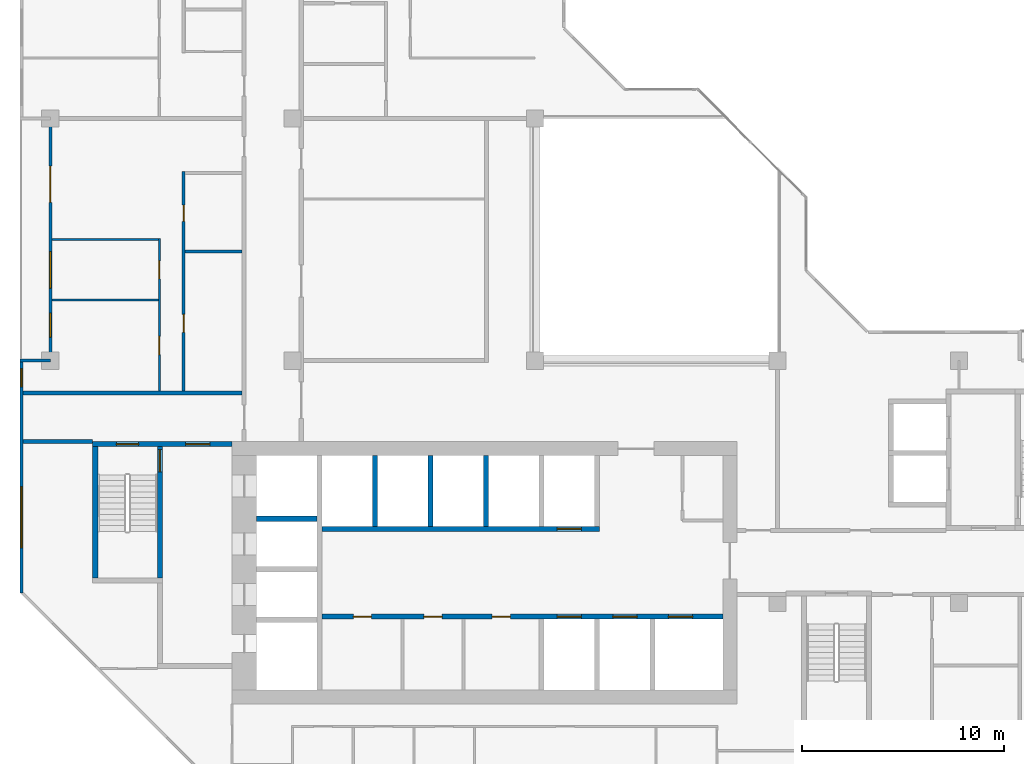
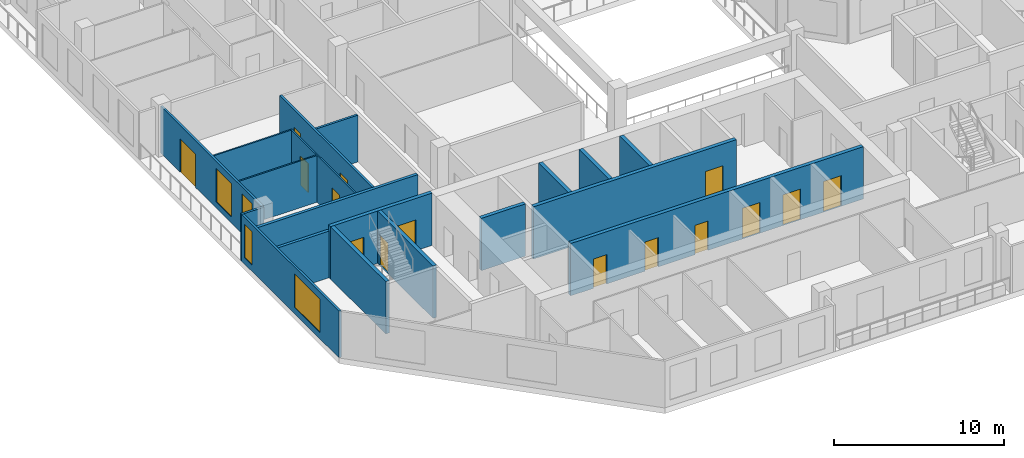
# One storey, part 5 of 16: 19 walls, 15 doors, 4 windows, 19 openings.
"""IFC4 building model written with IfcOpenShell, lengths in metres."""

import ifcopenshell
import ifcopenshell.guid

model = None  # the IFC model being written
_history = None  # IfcOwnerHistory: only IFC2X3 demands one
_inside = {}  # id of a spatial element -> (the spatial element, [elements in it])
_under = {}  # id of a project, library or spatial element -> (it, [spatial elements below it])
_declared = {}  # id of a project -> (the project, [libraries it declares])
_typed = {}  # id of a type object -> (the type object, [elements of that type])
_made_of = {}  # id of a material, layer set ... -> (it, [elements and type objects made of it])


def new_model(schema):
    """Start an empty IFC model of exactly this schema.

    Asked for "IFC4X3", IfcOpenShell would pick the latest addendum, in which some entities
    have other attributes; the version numbers below select the first issue.
    IFC2X3 requires an IfcOwnerHistory on every rooted entity: one is made here for all.
    """
    global model, _history
    if schema == "IFC4X3":
        model = ifcopenshell.file(schema_version=(4, 3, 0, 0))
    else:
        model = ifcopenshell.file(schema=schema)
    _inside.clear()
    _under.clear()
    _declared.clear()
    _typed.clear()
    _made_of.clear()
    _history = None
    if model.schema == "IFC2X3":
        org = make("IfcOrganization", Name="unknown")
        user = make(
            "IfcPersonAndOrganization",
            ThePerson=make("IfcPerson", FamilyName="unknown"),
            TheOrganization=org,
        )
        app = make(
            "IfcApplication",
            ApplicationDeveloper=org,
            Version="unknown",
            ApplicationFullName="unknown",
            ApplicationIdentifier="unknown",
        )
        _history = make(
            "IfcOwnerHistory",
            OwningUser=user,
            OwningApplication=app,
            ChangeAction="ADDED",
            CreationDate=0,
        )
    return model


def make(cls, **values):
    """One entity of the class cls with the attributes given. An attribute that is None is left unset."""
    return model.create_entity(
        cls, **{name: value for name, value in values.items() if value is not None}
    )


def rooted(cls, **values):
    """An entity with a GlobalId (a new one), such as an element, a storey or a relation."""
    return make(cls, GlobalId=ifcopenshell.guid.new(), OwnerHistory=_history, **values)


def si_unit(unit_type, name, prefix=None):
    """IfcSIUnit, for example si_unit("LENGTHUNIT", "METRE", prefix="MILLI")."""
    return make("IfcSIUnit", UnitType=unit_type, Prefix=prefix, Name=name)


def assignment(units):
    """IfcUnitAssignment: the units of a project."""
    return None if units is None else make("IfcUnitAssignment", Units=units)


def point(xyz):
    """IfcCartesianPoint."""
    return None if xyz is None else make("IfcCartesianPoint", Coordinates=xyz)


def direction(xyz):
    """IfcDirection."""
    return None if xyz is None else make("IfcDirection", DirectionRatios=xyz)


def frame(location, z_axis=None, x_axis=None):
    """IfcAxis2Placement3D, a coordinate frame: its origin and axes. An axis left out is left unset."""
    return make(
        "IfcAxis2Placement3D",
        Location=point(location),
        Axis=direction(z_axis),
        RefDirection=direction(x_axis),
    )


def frame_2d(location, x_axis=None):
    """IfcAxis2Placement2D, a coordinate frame in the plane: its origin and x axis."""
    return make(
        "IfcAxis2Placement2D", Location=point(location), RefDirection=direction(x_axis)
    )


def origin():
    """The frame at (0, 0, 0) with its axes left unset."""
    return frame((0.0, 0.0, 0.0))


def place(relative_to, where):
    """IfcLocalPlacement: puts the frame where relative to a parent placement (None: the world)."""
    return make(
        "IfcLocalPlacement", PlacementRelTo=relative_to, RelativePlacement=where
    )


def context(
    kind, dimensions, precision=None, world=None, true_north=None, identifier=None
):
    """IfcGeometricRepresentationContext, for example the 3D "Model" context."""
    return make(
        "IfcGeometricRepresentationContext",
        ContextIdentifier=identifier,
        ContextType=kind,
        CoordinateSpaceDimension=dimensions,
        Precision=precision,
        WorldCoordinateSystem=world,
        TrueNorth=true_north,
    )


def subcontext(parent, identifier, kind, view, scale=None):
    """IfcGeometricRepresentationSubContext, for example "Body" below "Model"."""
    return make(
        "IfcGeometricRepresentationSubContext",
        ContextIdentifier=identifier,
        ContextType=kind,
        ParentContext=parent,
        TargetScale=scale,
        TargetView=view,
    )


def project(units=None, contexts=None):
    """IfcProject with its units and contexts."""
    return rooted(
        "IfcProject",
        Name="project",
        RepresentationContexts=contexts,
        UnitsInContext=assignment(units),
    )


def spatial(cls, under=None, at=None, **own):
    """A site, building, storey or space (cls), placed at a placement, below another one or the project."""
    s = rooted(cls, ObjectPlacement=at, **own)
    if under is not None:
        _under.setdefault(under.id(), (under, []))[1].append(s)
    return s


def profile(cls, at=None, kind="AREA", **sizes):
    """A parametric profile (cls). Its sizes go by their IFC names, for example OverallWidth=200.0."""
    return make(cls, ProfileType=kind, Position=at, **sizes)


def rectangle(**sizes):
    """IfcRectangleProfileDef."""
    return profile("IfcRectangleProfileDef", **sizes)


def extrude(swept, where, along, depth):
    """IfcExtrudedAreaSolid: the profile swept, set in the frame where, extruded along a direction by depth."""
    return make(
        "IfcExtrudedAreaSolid",
        SweptArea=swept,
        Position=where,
        ExtrudedDirection=direction(along),
        Depth=depth,
    )


def shape(context_of_items, identifier, shape_type, items):
    """IfcShapeRepresentation: the items that make up one representation, for example the "Body"."""
    return make(
        "IfcShapeRepresentation",
        ContextOfItems=context_of_items,
        RepresentationIdentifier=identifier,
        RepresentationType=shape_type,
        Items=items,
    )


def material(Name=None, Category=None):
    """IfcMaterial."""
    return make("IfcMaterial", Name=Name, Category=Category)


def layer(
    of_material, thickness, ventilated=None, Name=None, Category=None, Priority=None
):
    """IfcMaterialLayer: one layer of a wall or slab, of a material (None: an air gap)."""
    return make(
        "IfcMaterialLayer",
        Material=of_material,
        LayerThickness=thickness,
        IsVentilated=ventilated,
        Name=Name,
        Category=Category,
        Priority=Priority,
    )


def layer_set(layers, Name=None):
    """IfcMaterialLayerSet."""
    return make("IfcMaterialLayerSet", MaterialLayers=layers, LayerSetName=Name)


def made_of(thing, what):
    """Note that an element or type object is made of a material, layer set ...; save() writes the relation."""
    if what is not None:
        _made_of.setdefault(what.id(), (what, []))[1].append(thing)
    return thing


def type_object(cls, material=None, **own):
    """A type object (cls), such as IfcWallType, which elements share."""
    return made_of(rooted(cls, **own), material)


def element(
    cls,
    number,
    at=None,
    inside=None,
    cuts=None,
    type_object=None,
    material=None,
    context=None,
    identifier="Body",
    shape_type=None,
    held_by="IfcProductDefinitionShape",
    body=None,
    shapes=None,
    **own,
):
    """One element of the class cls, such as IfcWall. Its Tag is "e" and its number.

    at: its placement. inside: the storey or other place that contains it. cuts: it is an
    opening in that element (IfcRelVoidsElement). A single representation is given by context,
    identifier, shape_type and body (its items); several are given by shapes. held_by: the class
    of the entity that holds the representations. save() writes the other relations.
    """
    e = rooted(cls, Tag="e%d" % number, ObjectPlacement=at, **own)
    if body is not None:
        shapes = [shape(context, identifier, shape_type, body)]
    if shapes is not None:
        e.Representation = make(held_by, Representations=shapes)
    if inside is not None:
        _inside.setdefault(inside.id(), (inside, []))[1].append(e)
    if cuts is not None:
        rooted(
            "IfcRelVoidsElement", RelatingBuildingElement=cuts, RelatedOpeningElement=e
        )
    if type_object is not None:
        _typed.setdefault(type_object.id(), (type_object, []))[1].append(e)
    return made_of(e, material)


def fill(opening, filler):
    """IfcRelFillsElement: the door or window that sits in an opening."""
    return rooted(
        "IfcRelFillsElement",
        RelatingOpeningElement=opening,
        RelatedBuildingElement=filler,
    )


def aggregate(whole, parts):
    """IfcRelAggregates: a whole, such as a stair, and the parts it consists of."""
    return rooted("IfcRelAggregates", RelatingObject=whole, RelatedObjects=parts)


def save(model, path):
    """Write the relations noted so far, then the file.

    IfcRelAggregates (storeys below a building ...), IfcRelContainedInSpatialStructure (elements
    in a storey), IfcRelDefinesByType, IfcRelAssociatesMaterial and IfcRelDeclares: one each for
    every whole, place, type object, material and project.
    """
    for whole, parts in _under.values():
        aggregate(whole, parts)
    for where, things in _inside.values():
        rooted(
            "IfcRelContainedInSpatialStructure",
            RelatedElements=things,
            RelatingStructure=where,
        )
    for kind, things in _typed.values():
        rooted("IfcRelDefinesByType", RelatedObjects=things, RelatingType=kind)
    for what, things in _made_of.values():
        rooted("IfcRelAssociatesMaterial", RelatedObjects=things, RelatingMaterial=what)
    for by, libraries in _declared.values():
        rooted("IfcRelDeclares", RelatingContext=by, RelatedDefinitions=libraries)
    model.write(path)


model = new_model("IFC4")

# Units and contexts
model_context = context("Model", 3, precision=1e-05, world=origin(), true_north=direction((0.0, 1.0)))
body_context = subcontext(model_context, "Body", "Model", "MODEL_VIEW")
ifc_project = project(units=[si_unit("LENGTHUNIT", "METRE"), si_unit("AREAUNIT", "SQUARE_METRE"), si_unit("VOLUMEUNIT", "CUBIC_METRE"), si_unit("PLANEANGLEUNIT", "RADIAN"), si_unit("MASSUNIT", "GRAM", prefix="KILO")], contexts=[model_context])

# Site, building, storey
site_placement = place(None, origin())
site = spatial("IfcSite", under=ifc_project, at=site_placement, CompositionType="ELEMENT")
building_placement = place(site_placement, origin())
building = spatial("IfcBuilding", under=site, at=building_placement, Name="Chenar Terraces", CompositionType="ELEMENT")
storey_placement = place(building_placement, frame((0.0, 0.0, 222.89990234375)))
storey = spatial("IfcBuildingStorey", under=building, at=storey_placement, Name="L52", CompositionType="ELEMENT", Elevation=222.89990234375)

# Wall, openings, doors
ifc_material_1 = material(Name="Concrete C60/75", Category="concrete")
ifc_layer_1 = layer(ifc_material_1, 0.25)
ifc_layer_set_1 = layer_set([ifc_layer_1], Name="Concrete C60/75")
wall_type_1 = type_object("IfcWallType", Name="Core wall 250 Concrete C60/75", PredefinedType="SHEAR", material=ifc_layer_set_1)
wall_1_placement = place(storey_placement, frame((13.449951171875, 11.324951171875, 0.0), z_axis=(0.0, 0.0, 1.0), x_axis=(1.0, 0.0, 0.0)))
wall_1 = element("IfcWall", 1, at=wall_1_placement, inside=storey, type_object=wall_type_1, Name="Core wall SF L52", PredefinedType="SHEAR", context=body_context, shape_type="SweptSolid", body=[
    extrude(rectangle(XDim=19.85009765625, YDim=0.25, at=frame_2d((9.925048828125, 0.0))), origin(), (0.0, 0.0, 1.0), 3.75),
])
opening_1_placement = place(wall_1_placement, frame((11.64990234375, 0.0, 0.0)))
opening_1 = element("IfcOpeningElement", 2, at=opening_1_placement, cuts=wall_1, Name="Opening DL52-LD1", PredefinedType="OPENING", context=body_context, shape_type="SweptSolid", body=[
    extrude(rectangle(XDim=1.199951171875, YDim=2.199951171875, at=frame_2d((0.60009765625, 1.10009765625))), frame((0.0, 0.135009765625, 0.0), z_axis=(0.0, -1.0, 0.0), x_axis=(1.0, 0.0, 0.0)), (0.0, 0.0, 1.0), 0.27001953125),
])
opening_2_placement = place(wall_1_placement, frame((14.39990234375, 0.0, 0.0)))
opening_2 = element("IfcOpeningElement", 3, at=opening_2_placement, cuts=wall_1, Name="Opening DL52-LD2", PredefinedType="OPENING", context=body_context, shape_type="SweptSolid", body=[
    extrude(rectangle(XDim=1.199951171875, YDim=2.199951171875, at=frame_2d((0.60009765625, 1.10009765625))), frame((0.0, 0.135009765625, 0.0), z_axis=(0.0, -1.0, 0.0), x_axis=(1.0, 0.0, 0.0)), (0.0, 0.0, 1.0), 0.27001953125),
])
opening_3_placement = place(wall_1_placement, frame((17.14990234375, 0.0, 0.0)))
opening_3 = element("IfcOpeningElement", 4, at=opening_3_placement, cuts=wall_1, Name="Opening DL52-LD3", PredefinedType="OPENING", context=body_context, shape_type="SweptSolid", body=[
    extrude(rectangle(XDim=1.199951171875, YDim=2.199951171875, at=frame_2d((0.60009765625, 1.10009765625))), frame((0.0, 0.135009765625, 0.0), z_axis=(0.0, -1.0, 0.0), x_axis=(1.0, 0.0, 0.0)), (0.0, 0.0, 1.0), 0.27001953125),
])
opening_4_placement = place(wall_1_placement, frame((1.550048828125, 0.0, 0.0)))
opening_4 = element("IfcOpeningElement", 5, at=opening_4_placement, cuts=wall_1, Name="Opening DL52-C12", PredefinedType="OPENING", context=body_context, shape_type="SweptSolid", body=[
    extrude(rectangle(XDim=0.89990234375, YDim=2.10009765625, at=frame_2d((0.449951171875, 1.050048828125))), frame((0.0, 0.135009765625, 0.0), z_axis=(0.0, -1.0, 0.0), x_axis=(1.0, 0.0, 0.0)), (0.0, 0.0, 1.0), 0.27001953125),
])
opening_5_placement = place(wall_1_placement, frame((5.050048828125, 0.0, 0.0)))
opening_5 = element("IfcOpeningElement", 6, at=opening_5_placement, cuts=wall_1, Name="Opening DL52-C13", PredefinedType="OPENING", context=body_context, shape_type="SweptSolid", body=[
    extrude(rectangle(XDim=0.89990234375, YDim=2.10009765625, at=frame_2d((0.449951171875, 1.050048828125))), frame((0.0, 0.135009765625, 0.0), z_axis=(0.0, -1.0, 0.0), x_axis=(1.0, 0.0, 0.0)), (0.0, 0.0, 1.0), 0.27001953125),
])
opening_6_placement = place(wall_1_placement, frame((8.425048828125, 0.0, 0.0)))
opening_6 = element("IfcOpeningElement", 7, at=opening_6_placement, cuts=wall_1, Name="Opening DL52-C14", PredefinedType="OPENING", context=body_context, shape_type="SweptSolid", body=[
    extrude(rectangle(XDim=0.89990234375, YDim=2.10009765625, at=frame_2d((0.449951171875, 1.050048828125))), frame((0.0, 0.135009765625, 0.0), z_axis=(0.0, -1.0, 0.0), x_axis=(1.0, 0.0, 0.0)), (0.0, 0.0, 1.0), 0.27001953125),
])
ifc_material_2 = material(Name="Stainless steel", Category="steel")
door_type_1 = type_object("IfcDoorType", Name="Lift landing door 1200 x 2200 sliding", OperationType="DOUBLE_DOOR_SLIDING", PredefinedType="DOOR", material=ifc_material_2)
door_1_placement = place(opening_1_placement, origin())
door_1 = element("IfcDoor", 8, at=door_1_placement, inside=storey, type_object=door_type_1, Name="Landing door M1", OperationType="DOUBLE_DOOR_SLIDING", OverallHeight=2.199951171875, OverallWidth=1.199951171875, PredefinedType="DOOR", context=body_context, shape_type="SweptSolid", body=[
    extrude(rectangle(XDim=1.199951171875, YDim=2.199951171875, at=frame_2d((0.60009765625, 1.10009765625))), frame((0.0, 0.02490234375, 0.0), z_axis=(0.0, -1.0, 0.0), x_axis=(1.0, 0.0, 0.0)), (0.0, 0.0, 1.0), 0.050048828125),
])
fill(opening_1, door_1)
door_2_placement = place(opening_2_placement, origin())
door_2 = element("IfcDoor", 9, at=door_2_placement, inside=storey, type_object=door_type_1, Name="Landing door M2", OperationType="DOUBLE_DOOR_SLIDING", OverallHeight=2.199951171875, OverallWidth=1.199951171875, PredefinedType="DOOR", context=body_context, shape_type="SweptSolid", body=[
    extrude(rectangle(XDim=1.199951171875, YDim=2.199951171875, at=frame_2d((0.60009765625, 1.10009765625))), frame((0.0, 0.02490234375, 0.0), z_axis=(0.0, -1.0, 0.0), x_axis=(1.0, 0.0, 0.0)), (0.0, 0.0, 1.0), 0.050048828125),
])
fill(opening_2, door_2)
door_3_placement = place(opening_3_placement, origin())
door_3 = element("IfcDoor", 10, at=door_3_placement, inside=storey, type_object=door_type_1, Name="Landing door M3", OperationType="DOUBLE_DOOR_SLIDING", OverallHeight=2.199951171875, OverallWidth=1.199951171875, PredefinedType="DOOR", context=body_context, shape_type="SweptSolid", body=[
    extrude(rectangle(XDim=1.199951171875, YDim=2.199951171875, at=frame_2d((0.60009765625, 1.10009765625))), frame((0.0, 0.02490234375, 0.0), z_axis=(0.0, -1.0, 0.0), x_axis=(1.0, 0.0, 0.0)), (0.0, 0.0, 1.0), 0.050048828125),
])
fill(opening_3, door_3)
ifc_material_3 = material(Name="Steel-framed fire-resisting door leaf", Category="steel")
door_type_2 = type_object("IfcDoorType", Name="Riser fire door FD60 900 x 2100", OperationType="SINGLE_SWING_LEFT", PredefinedType="DOOR", material=ifc_material_3)
door_4_placement = place(opening_4_placement, frame((0.89990234375, 0.0, 0.0), z_axis=(0.0, 0.0, 1.0), x_axis=(-1.0, 0.0, 0.0)))
door_4 = element("IfcDoor", 11, at=door_4_placement, inside=storey, type_object=door_type_2, Name="Core room door DL52-C12", OperationType="SINGLE_SWING_LEFT", OverallHeight=2.10009765625, OverallWidth=0.89990234375, PredefinedType="DOOR", context=body_context, shape_type="SweptSolid", body=[
    extrude(rectangle(XDim=0.89990234375, YDim=2.10009765625, at=frame_2d((0.449951171875, 1.050048828125))), frame((0.0, 0.02490234375, 0.0), z_axis=(0.0, -1.0, 0.0), x_axis=(1.0, 0.0, 0.0)), (0.0, 0.0, 1.0), 0.050048828125),
])
fill(opening_4, door_4)
door_5_placement = place(opening_5_placement, frame((0.89990234375, 0.0, 0.0), z_axis=(0.0, 0.0, 1.0), x_axis=(-1.0, 0.0, 0.0)))
door_5 = element("IfcDoor", 12, at=door_5_placement, inside=storey, type_object=door_type_2, Name="Core room door DL52-C13", OperationType="SINGLE_SWING_LEFT", OverallHeight=2.10009765625, OverallWidth=0.89990234375, PredefinedType="DOOR", context=body_context, shape_type="SweptSolid", body=[
    extrude(rectangle(XDim=0.89990234375, YDim=2.10009765625, at=frame_2d((0.449951171875, 1.050048828125))), frame((0.0, 0.02490234375, 0.0), z_axis=(0.0, -1.0, 0.0), x_axis=(1.0, 0.0, 0.0)), (0.0, 0.0, 1.0), 0.050048828125),
])
fill(opening_5, door_5)
door_6_placement = place(opening_6_placement, frame((0.89990234375, 0.0, 0.0), z_axis=(0.0, 0.0, 1.0), x_axis=(-1.0, 0.0, 0.0)))
door_6 = element("IfcDoor", 13, at=door_6_placement, inside=storey, type_object=door_type_2, Name="Core room door DL52-C14", OperationType="SINGLE_SWING_RIGHT", OverallHeight=2.10009765625, OverallWidth=0.89990234375, PredefinedType="DOOR", context=body_context, shape_type="SweptSolid", body=[
    extrude(rectangle(XDim=0.89990234375, YDim=2.10009765625, at=frame_2d((0.449951171875, 1.050048828125))), frame((0.0, 0.02490234375, 0.0), z_axis=(0.0, -1.0, 0.0), x_axis=(1.0, 0.0, 0.0)), (0.0, 0.0, 1.0), 0.050048828125),
])
fill(opening_6, door_6)

# Wall, opening, door
wall_2_placement = place(storey_placement, frame((13.449951171875, 15.675048828125, 0.0), z_axis=(0.0, 0.0, 1.0), x_axis=(1.0, 0.0, 0.0)))
wall_2 = element("IfcWall", 14, at=wall_2_placement, inside=storey, type_object=wall_type_1, Name="Core wall NF L52", PredefinedType="SHEAR", context=body_context, shape_type="SweptSolid", body=[
    extrude(rectangle(XDim=13.75, YDim=0.25, at=frame_2d((6.875, 0.0))), origin(), (0.0, 0.0, 1.0), 3.75),
])
opening_7_placement = place(wall_2_placement, frame((11.64990234375, 0.0, 0.0)))
opening_7 = element("IfcOpeningElement", 15, at=opening_7_placement, cuts=wall_2, Name="Opening DL52-LD4", PredefinedType="OPENING", context=body_context, shape_type="SweptSolid", body=[
    extrude(rectangle(XDim=1.199951171875, YDim=2.199951171875, at=frame_2d((0.60009765625, 1.10009765625))), frame((0.0, 0.135009765625, 0.0), z_axis=(0.0, -1.0, 0.0), x_axis=(1.0, 0.0, 0.0)), (0.0, 0.0, 1.0), 0.27001953125),
])
door_7_placement = place(opening_7_placement, origin())
door_7 = element("IfcDoor", 16, at=door_7_placement, inside=storey, type_object=door_type_1, Name="Landing door M4", OperationType="DOUBLE_DOOR_SLIDING", OverallHeight=2.199951171875, OverallWidth=1.199951171875, PredefinedType="DOOR", context=body_context, shape_type="SweptSolid", body=[
    extrude(rectangle(XDim=1.199951171875, YDim=2.199951171875, at=frame_2d((0.60009765625, 1.10009765625))), frame((0.0, 0.02490234375, 0.0), z_axis=(0.0, -1.0, 0.0), x_axis=(1.0, 0.0, 0.0)), (0.0, 0.0, 1.0), 0.050048828125),
])
fill(opening_7, door_7)

# Walls
wall_3_placement = place(storey_placement, frame((10.199951171875, 16.175048828125, 0.0), z_axis=(0.0, 0.0, 1.0), x_axis=(1.0, 0.0, 0.0)))
element("IfcWall", 17, at=wall_3_placement, inside=storey, type_object=wall_type_1, Name="Core wall HW2 L52", PredefinedType="SHEAR", context=body_context, shape_type="SweptSolid", body=[
    extrude(rectangle(XDim=3.0, YDim=0.25, at=frame_2d((1.5, 0.0))), origin(), (0.0, 0.0, 1.0), 3.75),
])
for number, where, z_axis, x_axis, name in (
    (18, (16.074951171875, 15.800048828125, 0.0), (0.0, 0.0, 1.0), (0.0, 1.0, 0.0), "Core wall NS0 L52"),
    (19, (18.824951171875, 15.800048828125, 0.0), (0.0, 0.0, 1.0), (0.0, 1.0, 0.0), "Core wall NS1 L52"),
    (20, (21.574951171875, 15.800048828125, 0.0), (0.0, 0.0, 1.0), (0.0, 1.0, 0.0), "Core wall NS2 L52"),
):
    element("IfcWall", number, at=place(storey_placement, frame(where, z_axis=z_axis, x_axis=x_axis)), inside=storey, type_object=wall_type_1, Name=name, PredefinedType="SHEAR", context=body_context, shape_type="SweptSolid", body=[
        extrude(rectangle(XDim=3.5, YDim=0.25, at=frame_2d((1.75, 0.0))), origin(), (0.0, 0.0, 1.0), 3.75),
    ])

# Wall, openings, doors
wall_4_placement = place(storey_placement, frame((2.10009765625, 19.875, 0.0), z_axis=(0.0, 0.0, 1.0), x_axis=(1.0, 0.0, 0.0)))
wall_4 = element("IfcWall", 21, at=wall_4_placement, inside=storey, type_object=wall_type_1, Name="Core wall A_N L52", PredefinedType="SHEAR", context=body_context, shape_type="SweptSolid", body=[
    extrude(rectangle(XDim=6.89990234375, YDim=0.25, at=frame_2d((3.449951171875, 0.0))), origin(), (0.0, 0.0, 1.0), 3.75),
])
opening_8_placement = place(wall_4_placement, frame((1.175048828125, 0.0, 0.0)))
opening_8 = element("IfcOpeningElement", 22, at=opening_8_placement, cuts=wall_4, Name="Opening DL52-C5", PredefinedType="OPENING", context=body_context, shape_type="SweptSolid", body=[
    extrude(rectangle(XDim=1.10009765625, YDim=2.199951171875, at=frame_2d((0.550048828125, 1.10009765625))), frame((0.0, 0.135009765625, 0.0), z_axis=(0.0, -1.0, 0.0), x_axis=(1.0, 0.0, 0.0)), (0.0, 0.0, 1.0), 0.27001953125),
])
opening_9_placement = place(wall_4_placement, frame((4.60009765625, 0.0, 0.0)))
opening_9 = element("IfcOpeningElement", 23, at=opening_9_placement, cuts=wall_4, Name="Opening DL52-C6", PredefinedType="OPENING", context=body_context, shape_type="SweptSolid", body=[
    extrude(rectangle(XDim=1.199951171875, YDim=2.199951171875, at=frame_2d((0.60009765625, 1.10009765625))), frame((0.0, 0.135009765625, 0.0), z_axis=(0.0, -1.0, 0.0), x_axis=(1.0, 0.0, 0.0)), (0.0, 0.0, 1.0), 0.27001953125),
])
ifc_material_4 = material(Name="Steel-framed fire-resisting door leaf", Category="steel")
door_type_3 = type_object("IfcDoorType", Name="Lobby fire door FD60 1200 x 2200", OperationType="SINGLE_SWING_LEFT", PredefinedType="DOOR", material=ifc_material_4)
door_8_placement = place(opening_9_placement, frame((1.199951171875, 0.0, 0.0), z_axis=(0.0, 0.0, 1.0), x_axis=(-1.0, 0.0, 0.0)))
door_8 = element("IfcDoor", 24, at=door_8_placement, inside=storey, type_object=door_type_3, Name="Core door DL52-C6", OperationType="SINGLE_SWING_LEFT", OverallHeight=2.199951171875, OverallWidth=1.199951171875, PredefinedType="DOOR", context=body_context, shape_type="SweptSolid", body=[
    extrude(rectangle(XDim=1.199951171875, YDim=2.199951171875, at=frame_2d((0.60009765625, 1.10009765625))), frame((0.0, 0.02490234375, 0.0), z_axis=(0.0, -1.0, 0.0), x_axis=(1.0, 0.0, 0.0)), (0.0, 0.0, 1.0), 0.050048828125),
])
fill(opening_9, door_8)
ifc_material_5 = material(Name="Steel-framed fire-resisting door leaf", Category="steel")
door_type_4 = type_object("IfcDoorType", Name="Stair fire door FD60 1100 x 2200", OperationType="SINGLE_SWING_LEFT", PredefinedType="DOOR", material=ifc_material_5)
door_9_placement = place(opening_8_placement, origin())
door_9 = element("IfcDoor", 25, at=door_9_placement, inside=storey, type_object=door_type_4, Name="Stair door DL52-C5", OperationType="SINGLE_SWING_LEFT", OverallHeight=2.199951171875, OverallWidth=1.10009765625, PredefinedType="DOOR", context=body_context, shape_type="SweptSolid", body=[
    extrude(rectangle(XDim=1.10009765625, YDim=2.199951171875, at=frame_2d((0.550048828125, 1.10009765625))), frame((0.0, 0.02490234375, 0.0), z_axis=(0.0, -1.0, 0.0), x_axis=(1.0, 0.0, 0.0)), (0.0, 0.0, 1.0), 0.050048828125),
])
fill(opening_8, door_9)

# Wall
wall_5_placement = place(storey_placement, frame((2.22509765625, 13.25, 0.0), z_axis=(0.0, 0.0, 1.0), x_axis=(0.0, 1.0, 0.0)))
element("IfcWall", 26, at=wall_5_placement, inside=storey, type_object=wall_type_1, Name="Core wall ST1_W L52", PredefinedType="SHEAR", context=body_context, shape_type="SweptSolid", body=[
    extrude(rectangle(XDim=6.5, YDim=0.25, at=frame_2d((3.25, 0.0))), origin(), (0.0, 0.0, 1.0), 3.75),
])

# Wall, opening, door
wall_6_placement = place(storey_placement, frame((5.425048828125, 13.25, 0.0), z_axis=(0.0, 0.0, 1.0), x_axis=(0.0, 1.0, 0.0)))
wall_6 = element("IfcWall", 27, at=wall_6_placement, inside=storey, type_object=wall_type_1, Name="Core wall ST1_E L52", PredefinedType="SHEAR", context=body_context, shape_type="SweptSolid", body=[
    extrude(rectangle(XDim=6.5, YDim=0.25, at=frame_2d((3.25, 0.0))), origin(), (0.0, 0.0, 1.0), 3.75),
])
opening_10_placement = place(wall_6_placement, frame((5.25, 0.0, 0.0)))
opening_10 = element("IfcOpeningElement", 28, at=opening_10_placement, cuts=wall_6, Name="Opening DL52-C3", PredefinedType="OPENING", context=body_context, shape_type="SweptSolid", body=[
    extrude(rectangle(XDim=1.10009765625, YDim=2.199951171875, at=frame_2d((0.550048828125, 1.10009765625))), frame((0.0, 0.135009765625, 0.0), z_axis=(0.0, -1.0, 0.0), x_axis=(1.0, 0.0, 0.0)), (0.0, 0.0, 1.0), 0.27001953125),
])
door_10_placement = place(opening_10_placement, origin())
door_10 = element("IfcDoor", 29, at=door_10_placement, inside=storey, type_object=door_type_4, Name="Stair door DL52-C3", OperationType="SINGLE_SWING_RIGHT", OverallHeight=2.199951171875, OverallWidth=1.10009765625, PredefinedType="DOOR", context=body_context, shape_type="SweptSolid", body=[
    extrude(rectangle(XDim=1.10009765625, YDim=2.199951171875, at=frame_2d((0.550048828125, 1.10009765625))), frame((0.0, 0.02490234375, 0.0), z_axis=(0.0, -1.0, 0.0), x_axis=(1.0, 0.0, 0.0)), (0.0, 0.0, 1.0), 0.050048828125),
])
fill(opening_10, door_10)

# Walls
ifc_material_6 = material(Name="Gypsum board on steel studs with fire boards", Category="steel")
ifc_layer_2 = layer(ifc_material_6, 0.199951171875)
ifc_layer_set_2 = layer_set([ifc_layer_2], Name="Gypsum board on steel studs with fire boards")
wall_type_2 = type_object("IfcWallType", Name="Corridor wall 200", PredefinedType="PARTITIONING", material=ifc_layer_set_2)
wall_7_placement = place(storey_placement, frame((-1.35009765625, 20.0, 0.0), z_axis=(0.0, 0.0, 1.0), x_axis=(1.0, 0.0, 0.0)))
element("IfcWall", 30, at=wall_7_placement, inside=storey, type_object=wall_type_2, Name="Partition L52-003", PredefinedType="PARTITIONING", context=body_context, shape_type="SweptSolid", body=[
    extrude(rectangle(XDim=3.4501953125, YDim=0.199951171875, at=frame_2d((1.72509765625, 0.0))), origin(), (0.0, 0.0, 1.0), 3.35009765625),
])
wall_8_placement = place(storey_placement, frame((-1.35009765625, 22.39990234375, 0.0), z_axis=(0.0, 0.0, 1.0), x_axis=(1.0, 0.0, 0.0)))
element("IfcWall", 31, at=wall_8_placement, inside=storey, type_object=wall_type_2, Name="Partition L52-004", PredefinedType="PARTITIONING", context=body_context, shape_type="SweptSolid", body=[
    extrude(rectangle(XDim=10.85009765625, YDim=0.199951171875, at=frame_2d((5.425048828125, 0.0))), origin(), (0.0, 0.0, 1.0), 3.35009765625),
])

# Wall, openings, windows
ifc_material_7 = material(Name="Aluminium framed glazing", Category="aluminium")
ifc_layer_3 = layer(ifc_material_7, 0.14990234375)
ifc_layer_set_3 = layer_set([ifc_layer_3], Name="Aluminium framed glazing")
wall_type_3 = type_object("IfcWallType", Name="Glazed flush facade wall 150", PredefinedType="SOLIDWALL", material=ifc_layer_set_3)
wall_9_placement = place(storey_placement, frame((-1.425048828125, 23.925048828125, 0.0), z_axis=(0.0, 0.0, 1.0), x_axis=(0.0, -1.0, 0.0)))
wall_9 = element("IfcWall", 32, at=wall_9_placement, inside=storey, type_object=wall_type_3, Name="Glazed flush facade wall", PredefinedType="SOLIDWALL", context=body_context, shape_type="SweptSolid", body=[
    extrude(rectangle(XDim=11.425048828125, YDim=0.14990234375, at=frame_2d((5.71240234375, 0.0))), origin(), (0.0, 0.0, 1.0), 3.35009765625),
])
opening_11_placement = place(wall_9_placement, frame((0.3125, 0.0, 0.449951171875)))
opening_11 = element("IfcOpeningElement", 33, at=opening_11_placement, cuts=wall_9, Name="Opening W90x240", PredefinedType="OPENING", context=body_context, shape_type="SweptSolid", body=[
    extrude(rectangle(XDim=0.89990234375, YDim=2.39990234375, at=frame_2d((0.449951171875, 1.199951171875))), frame((0.0, 0.0849609375, 0.0), z_axis=(0.0, -1.0, 0.0), x_axis=(1.0, 0.0, 0.0)), (0.0, 0.0, 1.0), 0.169921875),
])
opening_12_placement = place(wall_9_placement, frame((6.175048828125, 0.0, 0.449951171875)))
opening_12 = element("IfcOpeningElement", 34, at=opening_12_placement, cuts=wall_9, Name="Opening W300x240", PredefinedType="OPENING", context=body_context, shape_type="SweptSolid", body=[
    extrude(rectangle(XDim=3.0, YDim=2.39990234375, at=frame_2d((1.5, 1.199951171875))), frame((0.0, 0.0849609375, 0.0), z_axis=(0.0, -1.0, 0.0), x_axis=(1.0, 0.0, 0.0)), (0.0, 0.0, 1.0), 0.169921875),
])
ifc_material_8 = material(Name="Low emissivity double glazing, aluminium frame", Category="aluminium")
window_type_1 = type_object("IfcWindowType", Name="Fixed light 3000 x 2400", PartitioningType="SINGLE_PANEL", PredefinedType="WINDOW", material=ifc_material_8)
window_1_placement = place(opening_12_placement, origin())
window_1 = element("IfcWindow", 35, at=window_1_placement, inside=storey, type_object=window_type_1, Name="Window", OverallHeight=2.39990234375, OverallWidth=3.0, PartitioningType="SINGLE_PANEL", PredefinedType="WINDOW", context=body_context, shape_type="SweptSolid", body=[
    extrude(rectangle(XDim=3.0, YDim=2.39990234375, at=frame_2d((1.5, 1.199951171875))), frame((0.0, 0.030029296875, 0.0), z_axis=(0.0, -1.0, 0.0), x_axis=(1.0, 0.0, 0.0)), (0.0, 0.0, 1.0), 0.06005859375),
])
fill(opening_12, window_1)
ifc_material_9 = material(Name="Low emissivity double glazing, aluminium frame", Category="aluminium")
window_type_2 = type_object("IfcWindowType", Name="Fixed light 900 x 2400", PartitioningType="SINGLE_PANEL", PredefinedType="WINDOW", material=ifc_material_9)
window_2_placement = place(opening_11_placement, origin())
window_2 = element("IfcWindow", 36, at=window_2_placement, inside=storey, type_object=window_type_2, Name="Window", OverallHeight=2.39990234375, OverallWidth=0.89990234375, PartitioningType="SINGLE_PANEL", PredefinedType="WINDOW", context=body_context, shape_type="SweptSolid", body=[
    extrude(rectangle(XDim=0.89990234375, YDim=2.39990234375, at=frame_2d((0.449951171875, 1.199951171875))), frame((0.0, 0.030029296875, 0.0), z_axis=(0.0, -1.0, 0.0), x_axis=(1.0, 0.0, 0.0)), (0.0, 0.0, 1.0), 0.06005859375),
])
fill(opening_11, window_2)

# Wall, openings, windows, door
ifc_material_10 = material(Name="Aluminium framed glazing", Category="aluminium")
ifc_layer_4 = layer(ifc_material_10, 0.14990234375)
ifc_layer_set_4 = layer_set([ifc_layer_4], Name="Aluminium framed glazing")
wall_type_4 = type_object("IfcWallType", Name="Glazed loggia back wall 150", PredefinedType="SOLIDWALL", material=ifc_layer_set_4)
wall_10_placement = place(storey_placement, frame((0.0, 35.925048828125, 0.0), z_axis=(0.0, 0.0, 1.0), x_axis=(0.0, -1.0, 0.0)))
wall_10 = element("IfcWall", 37, at=wall_10_placement, inside=storey, type_object=wall_type_4, Name="Glazed loggia back wall", PredefinedType="SOLIDWALL", context=body_context, shape_type="SweptSolid", body=[
    extrude(rectangle(XDim=11.85009765625, YDim=0.14990234375, at=frame_2d((5.925048828125, 0.0))), origin(), (0.0, 0.0, 1.0), 3.35009765625),
])
opening_13_placement = place(wall_10_placement, frame((2.28759765625, 0.0, 0.0)))
opening_13 = element("IfcOpeningElement", 38, at=opening_13_placement, cuts=wall_10, Name="Opening DL52-G5", PredefinedType="OPENING", context=body_context, shape_type="SweptSolid", body=[
    extrude(rectangle(XDim=1.800048828125, YDim=2.39990234375, at=frame_2d((0.89990234375, 1.199951171875))), frame((0.0, 0.0849609375, 0.0), z_axis=(0.0, -1.0, 0.0), x_axis=(1.0, 0.0, 0.0)), (0.0, 0.0, 1.0), 0.169921875),
])
opening_14_placement = place(wall_10_placement, frame((6.52490234375, 0.0, 0.449951171875)))
opening_14 = element("IfcOpeningElement", 39, at=opening_14_placement, cuts=wall_10, Name="Opening W180x240", PredefinedType="OPENING", context=body_context, shape_type="SweptSolid", body=[
    extrude(rectangle(XDim=1.800048828125, YDim=2.39990234375, at=frame_2d((0.89990234375, 1.199951171875))), frame((0.0, 0.0849609375, 0.0), z_axis=(0.0, -1.0, 0.0), x_axis=(1.0, 0.0, 0.0)), (0.0, 0.0, 1.0), 0.169921875),
])
opening_15_placement = place(wall_10_placement, frame((9.5625, 0.0, 0.449951171875)))
opening_15 = element("IfcOpeningElement", 40, at=opening_15_placement, cuts=wall_10, Name="Opening W120x240", PredefinedType="OPENING", context=body_context, shape_type="SweptSolid", body=[
    extrude(rectangle(XDim=1.199951171875, YDim=2.39990234375, at=frame_2d((0.60009765625, 1.199951171875))), frame((0.0, 0.0849609375, 0.0), z_axis=(0.0, -1.0, 0.0), x_axis=(1.0, 0.0, 0.0)), (0.0, 0.0, 1.0), 0.169921875),
])
ifc_material_11 = material(Name="Low emissivity double glazing, aluminium frame", Category="aluminium")
window_type_3 = type_object("IfcWindowType", Name="Fixed light 1200 x 2400", PartitioningType="SINGLE_PANEL", PredefinedType="WINDOW", material=ifc_material_11)
window_3_placement = place(opening_15_placement, origin())
window_3 = element("IfcWindow", 41, at=window_3_placement, inside=storey, type_object=window_type_3, Name="Window", OverallHeight=2.39990234375, OverallWidth=1.199951171875, PartitioningType="SINGLE_PANEL", PredefinedType="WINDOW", context=body_context, shape_type="SweptSolid", body=[
    extrude(rectangle(XDim=1.199951171875, YDim=2.39990234375, at=frame_2d((0.60009765625, 1.199951171875))), frame((0.0, 0.030029296875, 0.0), z_axis=(0.0, -1.0, 0.0), x_axis=(1.0, 0.0, 0.0)), (0.0, 0.0, 1.0), 0.06005859375),
])
fill(opening_15, window_3)
ifc_material_12 = material(Name="Low emissivity double glazing, aluminium frame", Category="aluminium")
window_type_4 = type_object("IfcWindowType", Name="Fixed light 1800 x 2400", PartitioningType="SINGLE_PANEL", PredefinedType="WINDOW", material=ifc_material_12)
window_4_placement = place(opening_14_placement, origin())
window_4 = element("IfcWindow", 42, at=window_4_placement, inside=storey, type_object=window_type_4, Name="Window", OverallHeight=2.39990234375, OverallWidth=1.800048828125, PartitioningType="SINGLE_PANEL", PredefinedType="WINDOW", context=body_context, shape_type="SweptSolid", body=[
    extrude(rectangle(XDim=1.800048828125, YDim=2.39990234375, at=frame_2d((0.89990234375, 1.199951171875))), frame((0.0, 0.030029296875, 0.0), z_axis=(0.0, -1.0, 0.0), x_axis=(1.0, 0.0, 0.0)), (0.0, 0.0, 1.0), 0.06005859375),
])
fill(opening_14, window_4)
ifc_material_13 = material(Name="Low emissivity double glazing, aluminium frame", Category="aluminium")
door_type_5 = type_object("IfcDoorType", Name="Loggia glazed double door 1800 x 2400", OperationType="DOUBLE_DOOR_SINGLE_SWING", PredefinedType="DOOR", material=ifc_material_13)
door_11_placement = place(opening_13_placement, frame((1.800048828125, 0.0, 0.0), z_axis=(0.0, 0.0, 1.0), x_axis=(-1.0, 0.0, 0.0)))
door_11 = element("IfcDoor", 43, at=door_11_placement, inside=storey, type_object=door_type_5, Name="Loggia glazed door", OperationType="DOUBLE_DOOR_SINGLE_SWING", OverallHeight=2.39990234375, OverallWidth=1.800048828125, PredefinedType="DOOR", context=body_context, shape_type="SweptSolid", body=[
    extrude(rectangle(XDim=1.800048828125, YDim=2.39990234375, at=frame_2d((0.89990234375, 1.199951171875))), frame((0.0, 0.02490234375, 0.0), z_axis=(0.0, -1.0, 0.0), x_axis=(1.0, 0.0, 0.0)), (0.0, 0.0, 1.0), 0.050048828125),
])
fill(opening_13, door_11)

# Walls
ifc_material_14 = material(Name="Gypsum board on steel studs", Category="steel")
ifc_layer_5 = layer(ifc_material_14, 0.10009765625)
ifc_layer_set_5 = layer_set([ifc_layer_5], Name="Gypsum board on steel studs")
wall_type_5 = type_object("IfcWallType", Name="Gypsum partition 100", PredefinedType="PARTITIONING", material=ifc_layer_set_5)
for number, where, z_axis, x_axis, name in (
    (44, (0.073974609375, 27.0, 0.0), (0.0, 0.0, 1.0), (1.0, 0.0, 0.0), "Partition L52-008"),
    (45, (0.073974609375, 30.0, 0.0), (0.0, 0.0, 1.0), (1.0, 0.0, 0.0), "Partition L52-009"),
):
    element("IfcWall", number, at=place(storey_placement, frame(where, z_axis=z_axis, x_axis=x_axis)), inside=storey, type_object=wall_type_5, Name=name, PredefinedType="PARTITIONING", context=body_context, shape_type="SweptSolid", body=[
        extrude(rectangle(XDim=5.276123046875, YDim=0.10009765625, at=frame_2d((2.63818359375, 0.0))), origin(), (0.0, 0.0, 1.0), 3.35009765625),
    ])

# Wall, openings, doors
wall_11_placement = place(storey_placement, frame((5.39990234375, 22.5, 0.0), z_axis=(0.0, 0.0, 1.0), x_axis=(0.0, 1.0, 0.0)))
wall_11 = element("IfcWall", 46, at=wall_11_placement, inside=storey, type_object=wall_type_5, Name="Partition L52-015", PredefinedType="PARTITIONING", context=body_context, shape_type="SweptSolid", body=[
    extrude(rectangle(XDim=7.550048828125, YDim=0.10009765625, at=frame_2d((3.77490234375, 0.0))), origin(), (0.0, 0.0, 1.0), 3.35009765625),
])
opening_16_placement = place(wall_11_placement, frame((1.800048828125, 0.0, 0.0)))
opening_16 = element("IfcOpeningElement", 47, at=opening_16_placement, cuts=wall_11, Name="Opening DL52-61", PredefinedType="OPENING", context=body_context, shape_type="SweptSolid", body=[
    extrude(rectangle(XDim=0.89990234375, YDim=2.10009765625, at=frame_2d((0.449951171875, 1.050048828125))), frame((0.0, 0.06005859375, 0.0), z_axis=(0.0, -1.0, 0.0), x_axis=(1.0, 0.0, 0.0)), (0.0, 0.0, 1.0), 0.1201171875),
])
opening_17_placement = place(wall_11_placement, frame((5.550048828125, 0.0, 0.0)))
opening_17 = element("IfcOpeningElement", 48, at=opening_17_placement, cuts=wall_11, Name="Opening DL52-62", PredefinedType="OPENING", context=body_context, shape_type="SweptSolid", body=[
    extrude(rectangle(XDim=0.89990234375, YDim=2.10009765625, at=frame_2d((0.449951171875, 1.050048828125))), frame((0.0, 0.06005859375, 0.0), z_axis=(0.0, -1.0, 0.0), x_axis=(1.0, 0.0, 0.0)), (0.0, 0.0, 1.0), 0.1201171875),
])
ifc_material_15 = material(Name="Veneered timber door leaf", Category="wood")
door_type_6 = type_object("IfcDoorType", Name="Door 900 x 2100", OperationType="SINGLE_SWING_LEFT", PredefinedType="DOOR", material=ifc_material_15)
door_12_placement = place(opening_16_placement, origin())
door_12 = element("IfcDoor", 49, at=door_12_placement, inside=storey, type_object=door_type_6, Name="Door DL52-61", OperationType="SINGLE_SWING_RIGHT", OverallHeight=2.10009765625, OverallWidth=0.89990234375, PredefinedType="DOOR", context=body_context, shape_type="SweptSolid", body=[
    extrude(rectangle(XDim=0.89990234375, YDim=2.10009765625, at=frame_2d((0.449951171875, 1.050048828125))), frame((0.0, 0.02490234375, 0.0), z_axis=(0.0, -1.0, 0.0), x_axis=(1.0, 0.0, 0.0)), (0.0, 0.0, 1.0), 0.050048828125),
])
fill(opening_16, door_12)
door_13_placement = place(opening_17_placement, origin())
door_13 = element("IfcDoor", 50, at=door_13_placement, inside=storey, type_object=door_type_6, Name="Door DL52-62", OperationType="SINGLE_SWING_RIGHT", OverallHeight=2.10009765625, OverallWidth=0.89990234375, PredefinedType="DOOR", context=body_context, shape_type="SweptSolid", body=[
    extrude(rectangle(XDim=0.89990234375, YDim=2.10009765625, at=frame_2d((0.449951171875, 1.050048828125))), frame((0.0, 0.02490234375, 0.0), z_axis=(0.0, -1.0, 0.0), x_axis=(1.0, 0.0, 0.0)), (0.0, 0.0, 1.0), 0.050048828125),
])
fill(opening_17, door_13)

# Wall
ifc_material_16 = material(Name="Terracotta cladding on insulated backing", Category="masonry")
ifc_layer_6 = layer(ifc_material_16, 0.14990234375)
ifc_layer_set_6 = layer_set([ifc_layer_6], Name="Terracotta cladding on insulated backing")
wall_type_6 = type_object("IfcWallType", Name="Loggia return wall 150", PredefinedType="SOLIDWALL", material=ifc_layer_set_6)
wall_12_placement = place(storey_placement, frame((-1.5, 24.0, 0.0), z_axis=(0.0, 0.0, 1.0), x_axis=(1.0, 0.0, 0.0)))
element("IfcWall", 51, at=wall_12_placement, inside=storey, type_object=wall_type_6, Name="Loggia return wall", PredefinedType="SOLIDWALL", context=body_context, shape_type="SweptSolid", body=[
    extrude(rectangle(XDim=1.5, YDim=0.14990234375, at=frame_2d((0.75, 0.0))), origin(), (0.0, 0.0, 1.0), 3.35009765625),
])

# Wall, openings, doors
ifc_material_17 = material(Name="Moisture-resistant gypsum board on steel studs", Category="steel")
ifc_layer_7 = layer(ifc_material_17, 0.14990234375)
ifc_layer_set_7 = layer_set([ifc_layer_7], Name="Moisture-resistant gypsum board on steel studs")
wall_type_7 = type_object("IfcWallType", Name="Wet-room partition 150", PredefinedType="PARTITIONING", material=ifc_layer_set_7)
wall_13_placement = place(storey_placement, frame((6.60009765625, 22.5, 0.0), z_axis=(0.0, 0.0, 1.0), x_axis=(0.0, 1.0, 0.0)))
wall_13 = element("IfcWall", 52, at=wall_13_placement, inside=storey, type_object=wall_type_7, Name="Partition L52-020", PredefinedType="PARTITIONING", context=body_context, shape_type="SweptSolid", body=[
    extrude(rectangle(XDim=10.875, YDim=0.14990234375, at=frame_2d((5.4375, 0.0))), origin(), (0.0, 0.0, 1.0), 3.35009765625),
])
opening_18_placement = place(wall_13_placement, frame((8.39990234375, 0.0, 0.0)))
opening_18 = element("IfcOpeningElement", 53, at=opening_18_placement, cuts=wall_13, Name="Opening DL52-60", PredefinedType="OPENING", context=body_context, shape_type="SweptSolid", body=[
    extrude(rectangle(XDim=0.800048828125, YDim=2.10009765625, at=frame_2d((0.39990234375, 1.050048828125))), frame((0.0, 0.0849609375, 0.0), z_axis=(0.0, -1.0, 0.0), x_axis=(1.0, 0.0, 0.0)), (0.0, 0.0, 1.0), 0.169921875),
])
opening_19_placement = place(wall_13_placement, frame((2.89990234375, 0.0, 0.0)))
opening_19 = element("IfcOpeningElement", 54, at=opening_19_placement, cuts=wall_13, Name="Opening DL52-63", PredefinedType="OPENING", context=body_context, shape_type="SweptSolid", body=[
    extrude(rectangle(XDim=0.89990234375, YDim=2.10009765625, at=frame_2d((0.449951171875, 1.050048828125))), frame((0.0, 0.0849609375, 0.0), z_axis=(0.0, -1.0, 0.0), x_axis=(1.0, 0.0, 0.0)), (0.0, 0.0, 1.0), 0.169921875),
])
ifc_material_18 = material(Name="Veneered timber door leaf", Category="wood")
door_type_7 = type_object("IfcDoorType", Name="Door 800 x 2100", OperationType="SINGLE_SWING_LEFT", PredefinedType="DOOR", material=ifc_material_18)
door_14_placement = place(opening_18_placement, frame((0.800048828125, 0.0, 0.0), z_axis=(0.0, 0.0, 1.0), x_axis=(-1.0, 0.0, 0.0)))
door_14 = element("IfcDoor", 55, at=door_14_placement, inside=storey, type_object=door_type_7, Name="Door DL52-60", OperationType="SINGLE_SWING_RIGHT", OverallHeight=2.10009765625, OverallWidth=0.800048828125, PredefinedType="DOOR", context=body_context, shape_type="SweptSolid", body=[
    extrude(rectangle(XDim=0.800048828125, YDim=2.10009765625, at=frame_2d((0.39990234375, 1.050048828125))), frame((0.0, 0.02490234375, 0.0), z_axis=(0.0, -1.0, 0.0), x_axis=(1.0, 0.0, 0.0)), (0.0, 0.0, 1.0), 0.050048828125),
])
fill(opening_18, door_14)
door_15_placement = place(opening_19_placement, frame((0.89990234375, 0.0, 0.0), z_axis=(0.0, 0.0, 1.0), x_axis=(-1.0, 0.0, 0.0)))
door_15 = element("IfcDoor", 56, at=door_15_placement, inside=storey, type_object=door_type_6, Name="Door DL52-63", OperationType="SINGLE_SWING_RIGHT", OverallHeight=2.10009765625, OverallWidth=0.89990234375, PredefinedType="DOOR", context=body_context, shape_type="SweptSolid", body=[
    extrude(rectangle(XDim=0.89990234375, YDim=2.10009765625, at=frame_2d((0.449951171875, 1.050048828125))), frame((0.0, 0.02490234375, 0.0), z_axis=(0.0, -1.0, 0.0), x_axis=(1.0, 0.0, 0.0)), (0.0, 0.0, 1.0), 0.050048828125),
])
fill(opening_19, door_15)

# Wall
wall_14_placement = place(storey_placement, frame((6.675048828125, 29.39990234375, 0.0), z_axis=(0.0, 0.0, 1.0), x_axis=(1.0, 0.0, 0.0)))
element("IfcWall", 57, at=wall_14_placement, inside=storey, type_object=wall_type_7, Name="Partition L52-022", PredefinedType="PARTITIONING", context=body_context, shape_type="SweptSolid", body=[
    extrude(rectangle(XDim=2.824951171875, YDim=0.14990234375, at=frame_2d((1.41259765625, 0.0))), origin(), (0.0, 0.0, 1.0), 3.35009765625),
])

save(model, "model.ifc")
